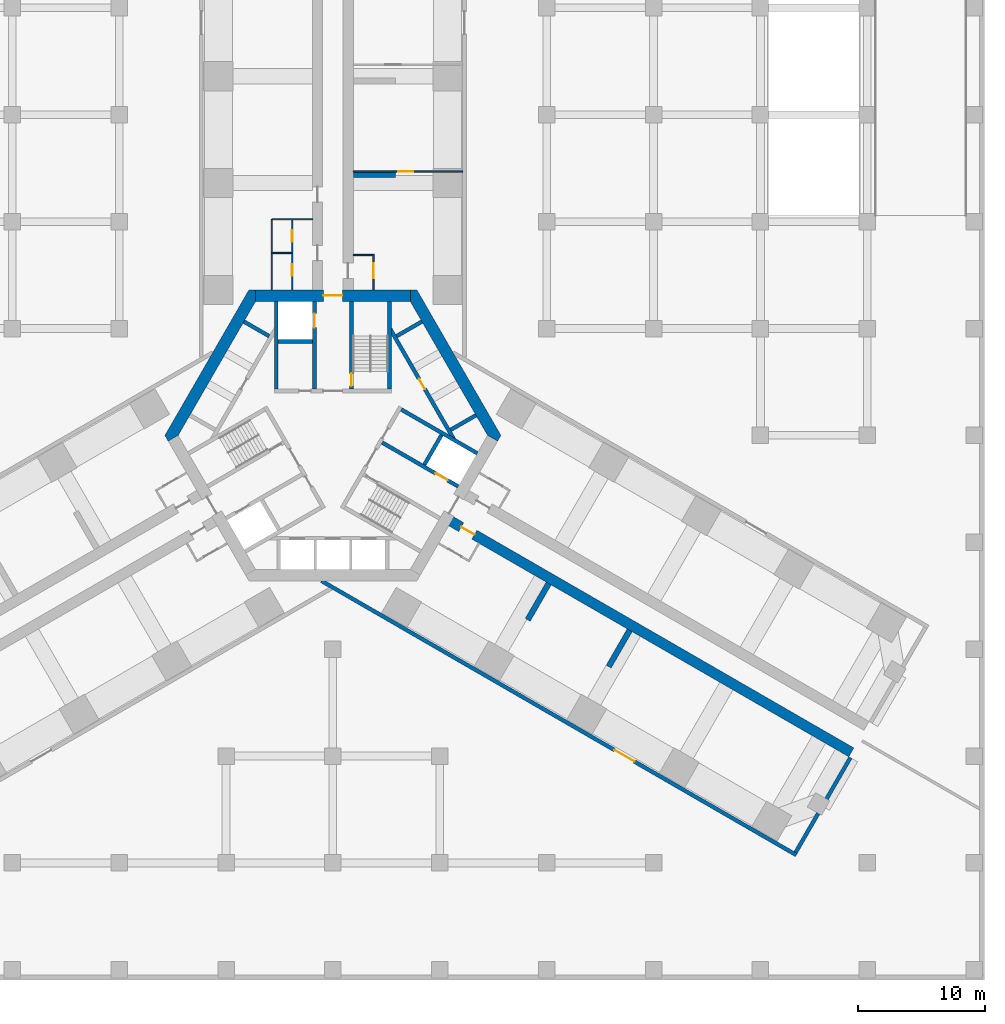
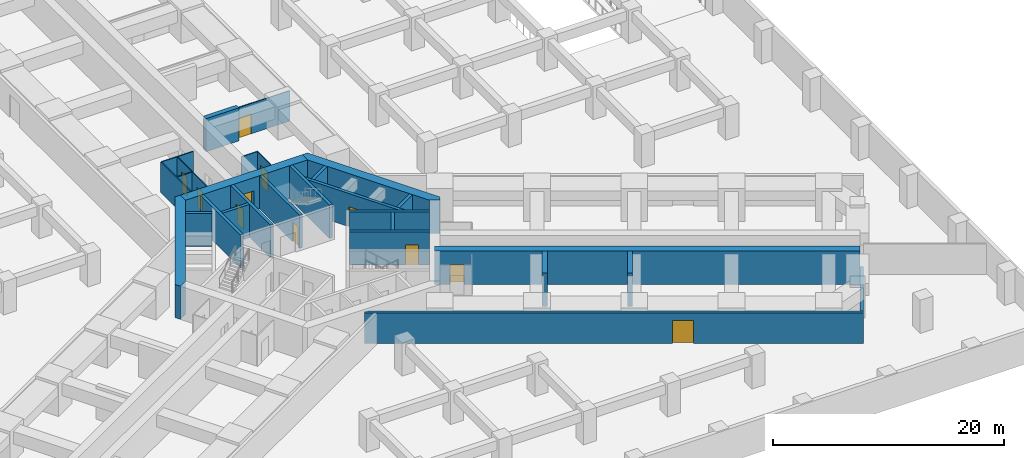
# One storey, part 7 of 11: 28 walls, 11 doors, 11 openings.
"""IFC4 building model written with IfcOpenShell, lengths in metres."""

from ifc_helpers import new_model, si_unit, direction, frame, frame_2d, origin, place, context, subcontext, project, spatial, polyline, rectangle, outline, extrude, material, layer, layer_set, type_object, element, fill, save


model = new_model("IFC4")

# Units and contexts
model_context = context("Model", 3, precision=1e-05, world=origin(), true_north=direction((0.0, 1.0)))
body_context = subcontext(model_context, "Body", "Model", "MODEL_VIEW")
ifc_project = project(units=[si_unit("LENGTHUNIT", "METRE"), si_unit("AREAUNIT", "SQUARE_METRE"), si_unit("VOLUMEUNIT", "CUBIC_METRE"), si_unit("PLANEANGLEUNIT", "RADIAN"), si_unit("MASSUNIT", "GRAM", prefix="KILO")], contexts=[model_context])

# Site, building, storey
site_placement = place(None, origin())
site = spatial("IfcSite", under=ifc_project, at=site_placement, CompositionType="ELEMENT")
building_placement = place(site_placement, origin())
building = spatial("IfcBuilding", under=site, at=building_placement, Name="Impinga Residences", CompositionType="ELEMENT")
storey_placement = place(building_placement, frame((0.0, 0.0, -7.0)))
storey = spatial("IfcBuildingStorey", under=building, at=storey_placement, Name="B2", CompositionType="ELEMENT", Elevation=-7.0)

# Wall, opening, door
ifc_material_1 = material(Name="Concrete C70/85", Category="concrete")
ifc_layer_1 = layer(ifc_material_1, 0.800048828125)
ifc_layer_set_1 = layer_set([ifc_layer_1], Name="Concrete C70/85")
wall_type_1 = type_object("IfcWallType", Name="BW0 corridor buttress wall, B3 to L04 800", PredefinedType="SHEAR", material=ifc_layer_set_1)
wall_1_placement = place(storey_placement, frame((8.910400390625, -6.530029296875, 0.0), z_axis=(0.0, 0.0, 1.0), x_axis=(0.866025284237, -0.500000207062, 0.0)))
wall_1 = element("IfcWall", 1, at=wall_1_placement, inside=storey, type_object=wall_type_1, Name="Corridor wall BW0 ED B2", PredefinedType="SHEAR", context=body_context, shape_type="SweptSolid", body=[
    extrude(rectangle(XDim=36.75, YDim=0.800048828125, at=frame_2d((18.375, 0.0))), origin(), (0.0, 0.0, 1.0), 3.5),
])
opening_1_placement = place(wall_1_placement, frame((1.35009765625, 0.0, 0.0)))
opening_1 = element("IfcOpeningElement", 2, at=opening_1_placement, cuts=wall_1, Name="Opening D3", PredefinedType="OPENING", context=body_context, shape_type="SweptSolid", body=[
    extrude(rectangle(XDim=1.199951171875, YDim=2.10009765625, at=frame_2d((0.60009765625, 1.050048828125))), frame((0.0, 0.409912109375, 0.0), z_axis=(0.0, -1.0, 0.0), x_axis=(1.0, 0.0, 0.0)), (0.0, 0.0, 1.0), 0.820068359375),
])
ifc_material_2 = material(Name="Timber door set", Category="wood")
door_type_1 = type_object("IfcDoorType", Name="D3 room door, leaf and a half 1200x2100", OperationType="DOUBLE_SWING_LEFT", PredefinedType="DOOR", material=ifc_material_2)
door_1_placement = place(opening_1_placement, origin())
door_1 = element("IfcDoor", 3, at=door_1_placement, inside=storey, type_object=door_type_1, Name="Storage cages lobby door B2-EF1", OperationType="DOUBLE_SWING_LEFT", OverallHeight=2.10009765625, OverallWidth=1.199951171875, PredefinedType="DOOR", context=body_context, shape_type="SweptSolid", body=[
    extrude(rectangle(XDim=1.199951171875, YDim=2.10009765625, at=frame_2d((0.60009765625, 1.050048828125))), frame((0.0, 0.02490234375, 0.0), z_axis=(0.0, -1.0, 0.0), x_axis=(1.0, 0.0, 0.0)), (0.0, 0.0, 1.0), 0.050048828125),
])
fill(opening_1, door_1)

ifc_material_3 = material(Name="Concrete blockwork", Category="masonry")
ifc_layer_2 = layer(ifc_material_3, 0.10009765625)
ifc_layer_set_2 = layer_set([ifc_layer_2], Name="CP1 core room partition, blockwork 100")
wall_type_2 = type_object("IfcWallType", Name="CP1 core room partition, blockwork 100", PredefinedType="PARTITIONING", material=ifc_layer_set_2)
wall_2_placement = place(storey_placement, frame((3.199951171875, 11.431640625, 0.0), z_axis=(0.0, 0.0, 1.0), x_axis=(0.0, 1.0, 0.0)))
wall_2 = element("IfcWall", 4, at=wall_2_placement, inside=storey, type_object=wall_type_2, Name="Core room partition, blockwork B2-NF1:L1", PredefinedType="PARTITIONING", context=body_context, shape_type="SweptSolid", body=[
    extrude(rectangle(XDim=2.7998046875, YDim=0.10009765625, at=frame_2d((1.39990234375, 0.0))), origin(), (0.0, 0.0, 1.0), 3.199951171875),
])
opening_2_placement = place(wall_2_placement, frame((0.89990234375, 0.0, 0.0)))
opening_2 = element("IfcOpeningElement", 5, at=opening_2_placement, cuts=wall_2, Name="Opening D3", PredefinedType="OPENING", context=body_context, shape_type="SweptSolid", body=[
    extrude(rectangle(XDim=1.199951171875, YDim=2.10009765625, at=frame_2d((0.60009765625, 1.050048828125))), frame((0.0, 0.06005859375, 0.0), z_axis=(0.0, -1.0, 0.0), x_axis=(1.0, 0.0, 0.0)), (0.0, 0.0, 1.0), 0.1201171875),
])
door_2_placement = place(opening_2_placement, origin())
door_2 = element("IfcDoor", 6, at=door_2_placement, inside=storey, type_object=door_type_1, Name="Drainage pump room door B2-NF1", OperationType="DOUBLE_SWING_LEFT", OverallHeight=2.10009765625, OverallWidth=1.199951171875, PredefinedType="DOOR", context=body_context, shape_type="SweptSolid", body=[
    extrude(rectangle(XDim=1.199951171875, YDim=2.10009765625, at=frame_2d((0.60009765625, 1.050048828125))), frame((0.0, 0.02490234375, 0.0), z_axis=(0.0, -1.0, 0.0), x_axis=(1.0, 0.0, 0.0)), (0.0, 0.0, 1.0), 0.050048828125),
])
fill(opening_2, door_2)

# Wall
wall_3_placement = place(storey_placement, frame((1.60009765625, 14.181640625, 0.0), z_axis=(0.0, 0.0, 1.0), x_axis=(1.0, 0.0, 0.0)))
element("IfcWall", 7, at=wall_3_placement, inside=storey, type_object=wall_type_2, Name="Core room partition, blockwork B2-NF1:L2", PredefinedType="PARTITIONING", context=body_context, shape_type="SweptSolid", body=[
    extrude(rectangle(XDim=1.5498046875, YDim=0.10009765625, at=frame_2d((0.77490234375, 0.0))), origin(), (0.0, 0.0, 1.0), 3.199951171875),
])

# Wall, opening, door
wall_4_placement = place(storey_placement, frame((1.60009765625, 20.7314453125, 0.0), z_axis=(0.0, 0.0, 1.0), x_axis=(1.0, 0.0, 0.0)))
wall_4 = element("IfcWall", 8, at=wall_4_placement, inside=storey, type_object=wall_type_2, Name="Core room partition, blockwork B2-NF1:PS1", PredefinedType="PARTITIONING", context=body_context, shape_type="SweptSolid", body=[
    extrude(rectangle(XDim=8.599853515625, YDim=0.10009765625, at=frame_2d((4.2998046875, 0.0))), origin(), (0.0, 0.0, 1.0), 3.199951171875),
])
opening_3_placement = place(wall_4_placement, frame((3.52490234375, 0.0, 0.0)))
opening_3 = element("IfcOpeningElement", 9, at=opening_3_placement, cuts=wall_4, Name="Opening D3", PredefinedType="OPENING", context=body_context, shape_type="SweptSolid", body=[
    extrude(rectangle(XDim=1.199951171875, YDim=2.10009765625, at=frame_2d((0.60009765625, 1.050048828125))), frame((0.0, 0.06005859375, 0.0), z_axis=(0.0, -1.0, 0.0), x_axis=(1.0, 0.0, 0.0)), (0.0, 0.0, 1.0), 0.1201171875),
])
door_3_placement = place(opening_3_placement, origin())
door_3 = element("IfcDoor", 10, at=door_3_placement, inside=storey, type_object=door_type_1, Name="Grease trap room door B2-NF1", OperationType="DOUBLE_SWING_LEFT", OverallHeight=2.10009765625, OverallWidth=1.199951171875, PredefinedType="DOOR", context=body_context, shape_type="SweptSolid", body=[
    extrude(rectangle(XDim=1.199951171875, YDim=2.10009765625, at=frame_2d((0.60009765625, 1.050048828125))), frame((0.0, 0.02490234375, 0.0), z_axis=(0.0, -1.0, 0.0), x_axis=(1.0, 0.0, 0.0)), (0.0, 0.0, 1.0), 0.050048828125),
])
fill(opening_3, door_3)

# Wall, openings, doors
ifc_material_4 = material(Name="Gypsum board on steel studs", Category="steel")
ifc_layer_3 = layer(ifc_material_4, 0.10009765625)
ifc_layer_set_3 = layer_set([ifc_layer_3], Name="Gypsum board on steel studs")
wall_type_3 = type_object("IfcWallType", Name="IP1 partition 100", PredefinedType="PARTITIONING", material=ifc_layer_set_3)
wall_5_placement = place(storey_placement, frame((-3.199951171875, 11.431640625, 0.0), z_axis=(0.0, 0.0, 1.0), x_axis=(0.0, 1.0, 0.0)))
wall_5 = element("IfcWall", 11, at=wall_5_placement, inside=storey, type_object=wall_type_3, Name="Partition B2-NA1:L1", PredefinedType="PARTITIONING", context=body_context, shape_type="SweptSolid", body=[
    extrude(rectangle(XDim=5.599853515625, YDim=0.10009765625, at=frame_2d((2.7998046875, 0.0))), origin(), (0.0, 0.0, 1.0), 3.199951171875),
])
opening_4_placement = place(wall_5_placement, frame((1.125, 0.0, 0.0)))
opening_4 = element("IfcOpeningElement", 12, at=opening_4_placement, cuts=wall_5, Name="Opening D2", PredefinedType="OPENING", context=body_context, shape_type="SweptSolid", body=[
    extrude(rectangle(XDim=0.89990234375, YDim=2.10009765625, at=frame_2d((0.449951171875, 1.050048828125))), frame((0.0, 0.06005859375, 0.0), z_axis=(0.0, -1.0, 0.0), x_axis=(1.0, 0.0, 0.0)), (0.0, 0.0, 1.0), 0.1201171875),
])
opening_5_placement = place(wall_5_placement, frame((3.77490234375, 0.0, 0.0)))
opening_5 = element("IfcOpeningElement", 13, at=opening_5_placement, cuts=wall_5, Name="Opening D2", PredefinedType="OPENING", context=body_context, shape_type="SweptSolid", body=[
    extrude(rectangle(XDim=0.89990234375, YDim=2.10009765625, at=frame_2d((0.449951171875, 1.050048828125))), frame((0.0, 0.06005859375, 0.0), z_axis=(0.0, -1.0, 0.0), x_axis=(1.0, 0.0, 0.0)), (0.0, 0.0, 1.0), 0.1201171875),
])
door_type_2 = type_object("IfcDoorType", Name="D2 internal door 900x2100", OperationType="SINGLE_SWING_LEFT", PredefinedType="DOOR", material=ifc_material_2)
door_4_placement = place(opening_4_placement, origin())
door_4 = element("IfcDoor", 14, at=door_4_placement, inside=storey, type_object=door_type_2, Name="WC door B2-NA1", OperationType="SINGLE_SWING_LEFT", OverallHeight=2.10009765625, OverallWidth=0.89990234375, PredefinedType="DOOR", context=body_context, shape_type="SweptSolid", body=[
    extrude(rectangle(XDim=0.89990234375, YDim=2.10009765625, at=frame_2d((0.449951171875, 1.050048828125))), frame((0.0, 0.02490234375, 0.0), z_axis=(0.0, -1.0, 0.0), x_axis=(1.0, 0.0, 0.0)), (0.0, 0.0, 1.0), 0.050048828125),
])
fill(opening_4, door_4)
door_5_placement = place(opening_5_placement, origin())
door_5 = element("IfcDoor", 15, at=door_5_placement, inside=storey, type_object=door_type_2, Name="Accessible WC door B2-NA1", OperationType="SINGLE_SWING_RIGHT", OverallHeight=2.10009765625, OverallWidth=0.89990234375, PredefinedType="DOOR", context=body_context, shape_type="SweptSolid", body=[
    extrude(rectangle(XDim=0.89990234375, YDim=2.10009765625, at=frame_2d((0.449951171875, 1.050048828125))), frame((0.0, 0.02490234375, 0.0), z_axis=(0.0, -1.0, 0.0), x_axis=(1.0, 0.0, 0.0)), (0.0, 0.0, 1.0), 0.050048828125),
])
fill(opening_5, door_5)

# Walls
wall_6_placement = place(storey_placement, frame((-3.25, 14.33154296875, 0.0), z_axis=(0.0, 0.0, 1.0), x_axis=(-1.0, 0.0, 0.0)))
element("IfcWall", 16, at=wall_6_placement, inside=storey, type_object=wall_type_3, Name="Partition B2-NA1:T1", PredefinedType="PARTITIONING", context=body_context, shape_type="SweptSolid", body=[
    extrude(rectangle(XDim=1.5, YDim=0.10009765625, at=frame_2d((0.75, 0.0))), origin(), (0.0, 0.0, 1.0), 3.199951171875),
])
wall_7_placement = place(storey_placement, frame((-4.800048828125, 11.431640625, 0.0), z_axis=(0.0, 0.0, 1.0), x_axis=(0.0, 1.0, 0.0)))
element("IfcWall", 17, at=wall_7_placement, inside=storey, type_object=wall_type_3, Name="Partition B2-NA1:T2", PredefinedType="PARTITIONING", context=body_context, shape_type="SweptSolid", body=[
    extrude(rectangle(XDim=5.5498046875, YDim=0.10009765625, at=frame_2d((2.77490234375, 0.0))), origin(), (0.0, 0.0, 1.0), 3.199951171875),
])
wall_8_placement = place(storey_placement, frame((-1.60009765625, 16.9814453125, 0.0), z_axis=(0.0, 0.0, 1.0), x_axis=(-1.0, 0.0, 0.0)))
element("IfcWall", 18, at=wall_8_placement, inside=storey, type_object=wall_type_3, Name="Partition B2-NA1:T3", PredefinedType="PARTITIONING", context=body_context, shape_type="SweptSolid", body=[
    extrude(rectangle(XDim=3.14990234375, YDim=0.10009765625, at=frame_2d((1.574951171875, 0.0))), origin(), (0.0, 0.0, 1.0), 3.199951171875),
])
ifc_layer_4 = layer(ifc_material_3, 0.300048828125)
ifc_layer_set_4 = layer_set([ifc_layer_4], Name="PW3 podium wall on the wing face 300")
wall_type_4 = type_object("IfcWallType", Name="PW3 podium wall on the wing face 300", PredefinedType="SOLIDWALL", material=ifc_layer_set_4)
wall_9_placement = place(storey_placement, frame((40.666748046875, -25.326416015625, 0.0), z_axis=(0.0, 0.0, 1.0), x_axis=(-0.500007509209, -0.866021068297, 0.0)))
element("IfcWall", 19, at=wall_9_placement, inside=storey, type_object=wall_type_4, Name="Podium wall on the wing face B2:END:EF", PredefinedType="SOLIDWALL", context=body_context, shape_type="SweptSolid", body=[
    extrude(rectangle(XDim=8.599853515625, YDim=0.300048828125, at=frame_2d((4.2998046875, 0.0))), origin(), (0.0, 0.0, 1.0), 1.89990234375),
])

# Wall, opening, door
wall_10_placement = place(storey_placement, frame((-0.89990234375, -11.431640625, 0.0), z_axis=(0.0, 0.0, 1.0), x_axis=(0.866025301493, -0.500000177174, 0.0)))
wall_10 = element("IfcWall", 20, at=wall_10_placement, inside=storey, type_object=wall_type_4, Name="Podium wall on the wing face B2:SIDE:EF0", PredefinedType="SOLIDWALL", context=body_context, shape_type="SweptSolid", body=[
    extrude(rectangle(XDim=43.09521484375, YDim=0.300048828125, at=frame_2d((21.547607421875, 0.0))), origin(), (0.0, 0.0, 1.0), 3.199951171875),
])
opening_6_placement = place(wall_10_placement, frame((26.59521484375, 0.0, 0.0)))
opening_6 = element("IfcOpeningElement", 21, at=opening_6_placement, cuts=wall_10, Name="Opening D7", PredefinedType="OPENING", context=body_context, shape_type="SweptSolid", body=[
    extrude(rectangle(XDim=1.800048828125, YDim=2.39990234375, at=frame_2d((0.89990234375, 1.199951171875))), frame((0.0, 0.159912109375, 0.0), z_axis=(0.0, -1.0, 0.0), x_axis=(1.0, 0.0, 0.0)), (0.0, 0.0, 1.0), 0.320068359375),
])
door_type_3 = type_object("IfcDoorType", Name="D7 podium door pair 1800x2400", OperationType="DOUBLE_DOOR_DOUBLE_SWING", PredefinedType="DOOR", material=ifc_material_2)
door_6_placement = place(opening_6_placement, origin())
door_6 = element("IfcDoor", 22, at=door_6_placement, inside=storey, type_object=door_type_3, Name="Double door EF", OperationType="DOUBLE_DOOR_DOUBLE_SWING", OverallHeight=2.39990234375, OverallWidth=1.800048828125, PredefinedType="DOOR", context=body_context, shape_type="SweptSolid", body=[
    extrude(rectangle(XDim=1.800048828125, YDim=2.39990234375, at=frame_2d((0.89990234375, 1.199951171875))), frame((0.0, 0.02490234375, 0.0), z_axis=(0.0, -1.0, 0.0), x_axis=(1.0, 0.0, 0.0)), (0.0, 0.0, 1.0), 0.050048828125),
])
fill(opening_6, door_6)

# Walls
ifc_material_5 = material(Name="Concrete C60/75", Category="concrete")
ifc_layer_5 = layer(ifc_material_5, 0.449951171875)
ifc_layer_set_5 = layer_set([ifc_layer_5], Name="Concrete C60/75")
wall_type_5 = type_object("IfcWallType", Name="SE3 wing stair end wall carried down to the raft, basements 450", PredefinedType="SOLIDWALL", material=ifc_layer_set_5)
wall_11_placement = place(storey_placement, frame((1.60009765625, 20.506591796875, 0.0), z_axis=(0.0, 0.0, 1.0), x_axis=(1.0, 0.0, 0.0)))
element("IfcWall", 23, at=wall_11_placement, inside=storey, type_object=wall_type_5, Name="Stair enclosure wall SE3 N END0 B2", PredefinedType="SOLIDWALL", context=body_context, shape_type="SweptSolid", body=[
    extrude(rectangle(XDim=3.2998046875, YDim=0.449951171875, at=frame_2d((1.64990234375, 0.0))), origin(), (0.0, 0.0, 1.0), 3.5),
])
for number, where, z_axis, x_axis, name in (
    (24, (16.959228515625, -11.638916015625, 0.0), (0.0, 0.0, 1.0), (-0.50002983664, -0.866008176907, 0.0), "Stair enclosure wall SE3 E END0 B2"),
    (25, (23.324462890625, -15.31396484375, 0.0), (0.0, 0.0, 1.0), (-0.499974350878, -0.866040211805, 0.0), "Stair enclosure wall SE3 E END1 B2"),
):
    element("IfcWall", number, at=place(storey_placement, frame(where, z_axis=z_axis, x_axis=x_axis)), inside=storey, type_object=wall_type_5, Name=name, PredefinedType="SOLIDWALL", context=body_context, shape_type="SweptSolid", body=[
        extrude(rectangle(XDim=3.300048828125, YDim=0.449951171875, at=frame_2d((1.64990234375, 0.0))), origin(), (0.0, 0.0, 1.0), 3.5),
    ])

# Wall, opening, door
ifc_layer_6 = layer(ifc_material_1, 0.89990234375)
ifc_layer_set_6 = layer_set([ifc_layer_6], Name="Concrete C70/85")
wall_type_6 = type_object("IfcWallType", Name="SW1 core wall 900", PredefinedType="SHEAR", material=ifc_layer_set_6)
wall_12_placement = place(storey_placement, frame((-6.080322265625, 10.9814453125, 0.0), z_axis=(0.0, 0.0, 1.0), x_axis=(1.0, 0.0, 0.0)))
wall_12 = element("IfcWall", 26, at=wall_12_placement, inside=storey, type_object=wall_type_6, Name="Core wall SW1 N:FACE B2", PredefinedType="SHEAR", context=body_context, shape_type="SweptSolid", body=[
    extrude(rectangle(XDim=12.16064453125, YDim=0.89990234375, at=frame_2d((6.080322265625, 0.0))), origin(), (0.0, 0.0, 1.0), 3.5),
])
opening_7_placement = place(wall_12_placement, frame((5.330322265625, 0.0, 0.0)))
opening_7 = element("IfcOpeningElement", 27, at=opening_7_placement, cuts=wall_12, Name="Opening D4", PredefinedType="OPENING", context=body_context, shape_type="SweptSolid", body=[
    extrude(rectangle(XDim=1.5, YDim=2.10009765625, at=frame_2d((0.75, 1.050048828125))), frame((0.0, 0.4599609375, 0.0), z_axis=(0.0, -1.0, 0.0), x_axis=(1.0, 0.0, 0.0)), (0.0, 0.0, 1.0), 0.919921875),
])
door_type_4 = type_object("IfcDoorType", Name="D4 lobby door pair 1500x2100", OperationType="DOUBLE_DOOR_DOUBLE_SWING", PredefinedType="DOOR", material=ifc_material_2)
door_7_placement = place(opening_7_placement, origin())
door_7 = element("IfcDoor", 28, at=door_7_placement, inside=storey, type_object=door_type_4, Name="Lobby door N", OperationType="DOUBLE_DOOR_DOUBLE_SWING", OverallHeight=2.10009765625, OverallWidth=1.5, PredefinedType="DOOR", context=body_context, shape_type="SweptSolid", body=[
    extrude(rectangle(XDim=1.5, YDim=2.10009765625, at=frame_2d((0.75, 1.050048828125))), frame((0.0, 0.02490234375, 0.0), z_axis=(0.0, -1.0, 0.0), x_axis=(1.0, 0.0, 0.0)), (0.0, 0.0, 1.0), 0.050048828125),
])
fill(opening_7, door_7)

# Walls
wall_13_placement = place(storey_placement, origin())
element("IfcWall", 29, at=wall_13_placement, inside=storey, type_object=wall_type_6, Name="Core wall SW1 W:EXPOSED B2", PredefinedType="SHEAR", context=body_context, shape_type="SweptSolid", body=[
    extrude(outline(polyline([(13.199951171875, 0.0), (6.60009765625, 11.431640625), (6.080322265625, 11.431640625), (6.080322265625, 10.531494140625), (12.160888671875, 0.0), (12.940185546875, -0.449951171875), (13.199951171875, 0.0)])), origin(), (0.0, 0.0, 1.0), 3.5),
])
wall_14_placement = place(storey_placement, origin())
element("IfcWall", 30, at=wall_14_placement, inside=storey, type_object=wall_type_6, Name="Core wall SW1 E:EXPOSED B2", PredefinedType="SHEAR", context=body_context, shape_type="SweptSolid", body=[
    extrude(outline(polyline([(-6.60009765625, 11.431640625), (-13.199951171875, 0.0), (-12.940185546875, -0.449951171875), (-12.160888671875, 0.0), (-6.080322265625, 10.531494140625), (-6.080322265625, 11.431640625), (-6.60009765625, 11.431640625)])), origin(), (0.0, 0.0, 1.0), 3.5),
])

# Wall, opening, door
ifc_layer_7 = layer(ifc_material_1, 0.300048828125)
ifc_layer_set_7 = layer_set([ifc_layer_7], Name="Concrete C70/85")
wall_type_7 = type_object("IfcWallType", Name="SW5 core inner wall, stairs, shafts and lobbies 300", PredefinedType="SHEAR", material=ifc_layer_set_7)
wall_15_placement = place(storey_placement, frame((1.449951171875, 3.6298828125, 0.0), z_axis=(0.0, 0.0, 1.0), x_axis=(0.0, 1.0, 0.0)))
wall_15 = element("IfcWall", 31, at=wall_15_placement, inside=storey, type_object=wall_type_7, Name="Core wall SW5 N:ST-IN B2", PredefinedType="SHEAR", context=body_context, shape_type="SweptSolid", body=[
    extrude(rectangle(XDim=6.901611328125, YDim=0.300048828125, at=frame_2d((3.45068359375, 0.0))), origin(), (0.0, 0.0, 1.0), 3.5),
])
opening_8_placement = place(wall_15_placement, frame((0.25, 0.0, 0.0)))
opening_8 = element("IfcOpeningElement", 32, at=opening_8_placement, cuts=wall_15, Name="Opening D5", PredefinedType="OPENING", context=body_context, shape_type="SweptSolid", body=[
    extrude(rectangle(XDim=1.0, YDim=2.10009765625, at=frame_2d((0.5, 1.050048828125))), frame((0.0, 0.159912109375, 0.0), z_axis=(0.0, -1.0, 0.0), x_axis=(1.0, 0.0, 0.0)), (0.0, 0.0, 1.0), 0.320068359375),
])
door_type_5 = type_object("IfcDoorType", Name="D5 stair door 1000x2100", OperationType="SINGLE_SWING_LEFT", PredefinedType="DOOR", material=ifc_material_2)
door_8_placement = place(opening_8_placement, origin())
door_8 = element("IfcDoor", 33, at=door_8_placement, inside=storey, type_object=door_type_5, Name="Stair door N", OperationType="SINGLE_SWING_LEFT", OverallHeight=2.10009765625, OverallWidth=1.0, PredefinedType="DOOR", context=body_context, shape_type="SweptSolid", body=[
    extrude(rectangle(XDim=1.0, YDim=2.10009765625, at=frame_2d((0.5, 1.050048828125))), frame((0.0, 0.02490234375, 0.0), z_axis=(0.0, -1.0, 0.0), x_axis=(1.0, 0.0, 0.0)), (0.0, 0.0, 1.0), 0.050048828125),
])
fill(opening_8, door_8)

# Wall
wall_16_placement = place(storey_placement, frame((4.449951171875, 3.6298828125, 0.0), z_axis=(0.0, 0.0, 1.0), x_axis=(0.0, 1.0, 0.0)))
element("IfcWall", 34, at=wall_16_placement, inside=storey, type_object=wall_type_7, Name="Core wall SW5 N:ST-OUT B2", PredefinedType="SHEAR", context=body_context, shape_type="SweptSolid", body=[
    extrude(rectangle(XDim=6.901611328125, YDim=0.300048828125, at=frame_2d((3.45068359375, 0.0))), origin(), (0.0, 0.0, 1.0), 3.5),
])

# Wall, opening, door
wall_17_placement = place(storey_placement, frame((-1.449951171875, 3.6298828125, 0.0), z_axis=(0.0, 0.0, 1.0), x_axis=(0.0, 1.0, 0.0)))
wall_17 = element("IfcWall", 35, at=wall_17_placement, inside=storey, type_object=wall_type_7, Name="Core wall SW5 N:FF-IN B2", PredefinedType="SHEAR", context=body_context, shape_type="SweptSolid", body=[
    extrude(rectangle(XDim=6.901611328125, YDim=0.300048828125, at=frame_2d((3.45068359375, 0.0))), origin(), (0.0, 0.0, 1.0), 3.5),
])
opening_9_placement = place(wall_17_placement, frame((4.85009765625, 0.0, 0.0)))
opening_9 = element("IfcOpeningElement", 36, at=opening_9_placement, cuts=wall_17, Name="Opening LD2", PredefinedType="OPENING", context=body_context, shape_type="SweptSolid", body=[
    extrude(rectangle(XDim=1.10009765625, YDim=2.10009765625, at=frame_2d((0.550048828125, 1.050048828125))), frame((0.0, 0.159912109375, 0.0), z_axis=(0.0, -1.0, 0.0), x_axis=(1.0, 0.0, 0.0)), (0.0, 0.0, 1.0), 0.320068359375),
])
ifc_material_6 = material(Name="Steel lift landing door", Category="steel")
door_type_6 = type_object("IfcDoorType", Name="LD2 firefighting lift landing door 1100x2100", OperationType="DOUBLE_DOOR_SLIDING", PredefinedType="DOOR", material=ifc_material_6)
door_9_placement = place(opening_9_placement, origin())
door_9 = element("IfcDoor", 37, at=door_9_placement, inside=storey, type_object=door_type_6, Name="Firefighting lift landing door F1", OperationType="DOUBLE_DOOR_SLIDING", OverallHeight=2.10009765625, OverallWidth=1.10009765625, PredefinedType="DOOR", context=body_context, shape_type="SweptSolid", body=[
    extrude(rectangle(XDim=1.10009765625, YDim=2.10009765625, at=frame_2d((0.550048828125, 1.050048828125))), frame((0.0, 0.02490234375, 0.0), z_axis=(0.0, -1.0, 0.0), x_axis=(1.0, 0.0, 0.0)), (0.0, 0.0, 1.0), 0.050048828125),
])
fill(opening_9, door_9)

# Walls
wall_18_placement = place(storey_placement, frame((-4.449951171875, 3.6298828125, 0.0), z_axis=(0.0, 0.0, 1.0), x_axis=(0.0, 1.0, 0.0)))
element("IfcWall", 38, at=wall_18_placement, inside=storey, type_object=wall_type_7, Name="Core wall SW5 N:FF-OUT B2", PredefinedType="SHEAR", context=body_context, shape_type="SweptSolid", body=[
    extrude(rectangle(XDim=6.901611328125, YDim=0.300048828125, at=frame_2d((3.45068359375, 0.0))), origin(), (0.0, 0.0, 1.0), 3.5),
])
wall_19_placement = place(storey_placement, frame((-4.300048828125, 7.3798828125, 0.0), z_axis=(0.0, 0.0, 1.0), x_axis=(1.0, 0.0, 0.0)))
element("IfcWall", 39, at=wall_19_placement, inside=storey, type_object=wall_type_7, Name="Core wall SW5 N:FF-RS B2", PredefinedType="SHEAR", context=body_context, shape_type="SweptSolid", body=[
    extrude(rectangle(XDim=2.699951171875, YDim=0.300048828125, at=frame_2d((1.35009765625, 0.0))), origin(), (0.0, 0.0, 1.0), 3.5),
])

# Wall, opening, door
wall_20_placement = place(storey_placement, frame((3.86865234375, -0.559326171875, 0.0), z_axis=(0.0, 0.0, 1.0), x_axis=(0.86602711848, -0.499997030048, 0.0)))
wall_20 = element("IfcWall", 40, at=wall_20_placement, inside=storey, type_object=wall_type_7, Name="Core wall SW5 E:FF-IN B2", PredefinedType="SHEAR", context=body_context, shape_type="SweptSolid", body=[
    extrude(rectangle(XDim=6.9013671875, YDim=0.300048828125, at=frame_2d((3.45068359375, 0.0))), origin(), (0.0, 0.0, 1.0), 3.5),
])
opening_10_placement = place(wall_20_placement, frame((4.85009765625, 0.0, 0.0)))
opening_10 = element("IfcOpeningElement", 41, at=opening_10_placement, cuts=wall_20, Name="Opening LD2", PredefinedType="OPENING", context=body_context, shape_type="SweptSolid", body=[
    extrude(rectangle(XDim=1.10009765625, YDim=2.10009765625, at=frame_2d((0.550048828125, 1.050048828125))), frame((0.0, 0.159912109375, 0.0), z_axis=(0.0, -1.0, 0.0), x_axis=(1.0, 0.0, 0.0)), (0.0, 0.0, 1.0), 0.320068359375),
])
door_10_placement = place(opening_10_placement, origin())
door_10 = element("IfcDoor", 42, at=door_10_placement, inside=storey, type_object=door_type_6, Name="Firefighting lift landing door F3", OperationType="DOUBLE_DOOR_SLIDING", OverallHeight=2.10009765625, OverallWidth=1.10009765625, PredefinedType="DOOR", context=body_context, shape_type="SweptSolid", body=[
    extrude(rectangle(XDim=1.10009765625, YDim=2.10009765625, at=frame_2d((0.550048828125, 1.050048828125))), frame((0.0, 0.02490234375, 0.0), z_axis=(0.0, -1.0, 0.0), x_axis=(1.0, 0.0, 0.0)), (0.0, 0.0, 1.0), 0.050048828125),
])
fill(opening_10, door_10)

# Walls
wall_21_placement = place(storey_placement, frame((5.36865234375, 2.038818359375, 0.0), z_axis=(0.0, 0.0, 1.0), x_axis=(0.86602711848, -0.499997030048, 0.0)))
element("IfcWall", 43, at=wall_21_placement, inside=storey, type_object=wall_type_7, Name="Core wall SW5 E:FF-OUT B2", PredefinedType="SHEAR", context=body_context, shape_type="SweptSolid", body=[
    extrude(rectangle(XDim=6.9013671875, YDim=0.300048828125, at=frame_2d((3.45068359375, 0.0))), origin(), (0.0, 0.0, 1.0), 3.5),
])
wall_22_placement = place(storey_placement, frame((8.541259765625, 0.033935546875, 0.0), z_axis=(0.0, 0.0, 1.0), x_axis=(-0.50000943426, -0.866019956843, 0.0)))
element("IfcWall", 44, at=wall_22_placement, inside=storey, type_object=wall_type_7, Name="Core wall SW5 E:FF-RS B2", PredefinedType="SHEAR", context=body_context, shape_type="SweptSolid", body=[
    extrude(rectangle(XDim=2.7001953125, YDim=0.300048828125, at=frame_2d((1.35009765625, 0.0))), origin(), (0.0, 0.0, 1.0), 3.5),
])

# Wall, opening, door
wall_23_placement = place(storey_placement, frame((4.449951171875, 8.455322265625, 0.0), z_axis=(0.0, 0.0, 1.0), x_axis=(0.500002290144, -0.866024081565, 0.0)))
wall_23 = element("IfcWall", 45, at=wall_23_placement, inside=storey, type_object=wall_type_7, Name="Core wall SW5 W:BANK-FRONT B2", PredefinedType="SHEAR", context=body_context, shape_type="SweptSolid", body=[
    extrude(rectangle(XDim=10.1953125, YDim=0.300048828125, at=frame_2d((5.09765625, 0.0))), origin(), (0.0, 0.0, 1.0), 3.5),
])
opening_11_placement = place(wall_23_placement, frame((4.647705078125, 0.0, 0.0)))
opening_11 = element("IfcOpeningElement", 46, at=opening_11_placement, cuts=wall_23, Name="Opening D6", PredefinedType="OPENING", context=body_context, shape_type="SweptSolid", body=[
    extrude(rectangle(XDim=0.89990234375, YDim=2.10009765625, at=frame_2d((0.449951171875, 1.050048828125))), frame((0.0, 0.159912109375, 0.0), z_axis=(0.0, -1.0, 0.0), x_axis=(1.0, 0.0, 0.0)), (0.0, 0.0, 1.0), 0.320068359375),
])
door_type_7 = type_object("IfcDoorType", Name="D6 riser and store door 900x2100", OperationType="SINGLE_SWING_LEFT", PredefinedType="DOOR", material=ifc_material_2)
door_11_placement = place(opening_11_placement, origin())
door_11 = element("IfcDoor", 47, at=door_11_placement, inside=storey, type_object=door_type_7, Name="Store door", OperationType="SINGLE_SWING_RIGHT", OverallHeight=2.10009765625, OverallWidth=0.89990234375, PredefinedType="DOOR", context=body_context, shape_type="SweptSolid", body=[
    extrude(rectangle(XDim=0.89990234375, YDim=2.10009765625, at=frame_2d((0.449951171875, 1.050048828125))), frame((0.0, 0.02490234375, 0.0), z_axis=(0.0, -1.0, 0.0), x_axis=(1.0, 0.0, 0.0)), (0.0, 0.0, 1.0), 0.050048828125),
])
fill(opening_11, door_11)

# Walls
for number, where, z_axis, x_axis, name in (
    (48, (5.003662109375, 7.79638671875, 0.0), (0.0, 0.0, 1.0), (0.866053019151, 0.499952165731, 0.0), "Core wall SW5 W:BANK-L B2"),
    (49, (9.253662109375, 0.43505859375, 0.0), (0.0, 0.0, 1.0), (0.866007057882, 0.500031774688, 0.0), "Core wall SW5 W:BANK-R B2"),
    (50, (-5.003662109375, 7.79638671875, 0.0), (0.0, 0.0, 1.0), (-0.866053019151, 0.499952165731, 0.0), "Core wall SW5 E:BANK-R B2"),
):
    element("IfcWall", number, at=place(storey_placement, frame(where, z_axis=z_axis, x_axis=x_axis)), inside=storey, type_object=wall_type_7, Name=name, PredefinedType="SHEAR", context=body_context, shape_type="SweptSolid", body=[
        extrude(rectangle(XDim=2.300048828125, YDim=0.300048828125, at=frame_2d((1.14990234375, 0.0))), origin(), (0.0, 0.0, 1.0), 3.5),
    ])

save(model, "model.ifc")
